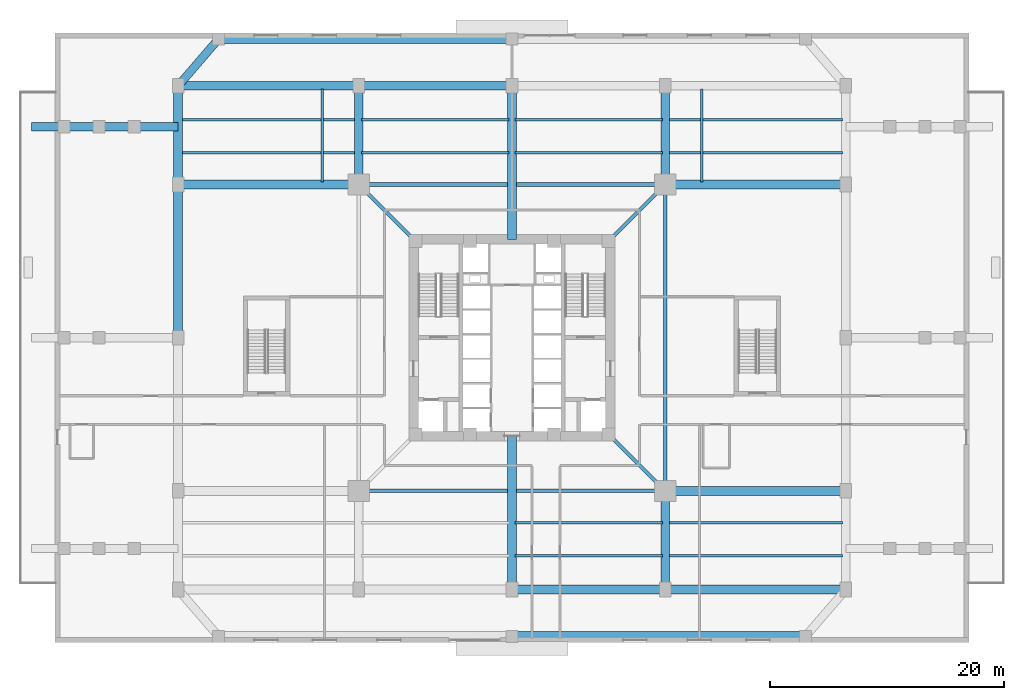
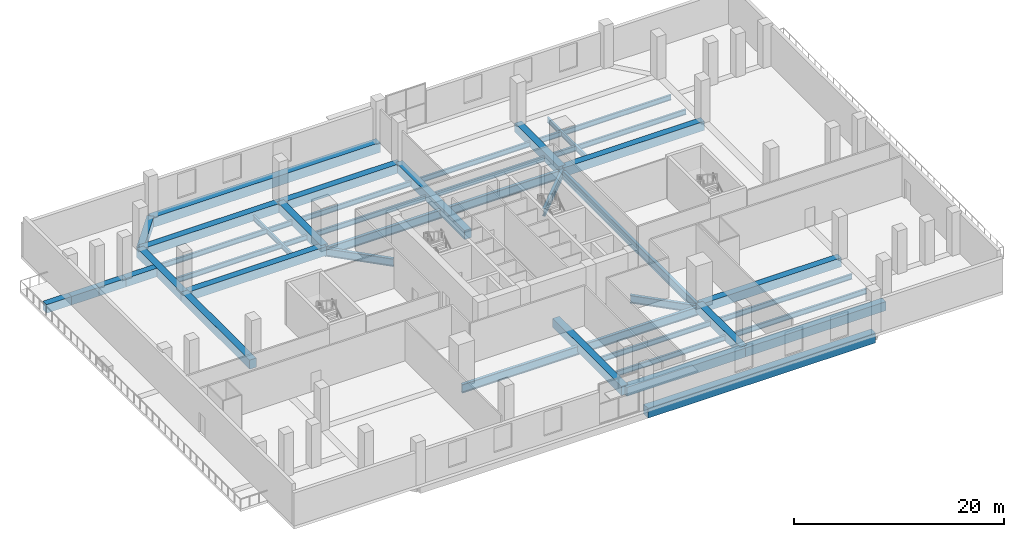
# One storey, part 3 of 17: 41 beams.
"""IFC4 building model written with IfcOpenShell, lengths in metres."""

from ifc_helpers import new_model, si_unit, direction, frame, origin, origin_2d, place, context, subcontext, project, spatial, rectangle, i_section, extrude, source, transform, mapped, material, material_profile, profile_set, type_object, element, save


model = new_model("IFC4")

# Units and contexts
model_context = context("Model", 3, precision=1e-05, world=origin(), true_north=direction((0.0, 1.0)))
body_context = subcontext(model_context, "Body", "Model", "MODEL_VIEW")
ifc_project = project(units=[si_unit("LENGTHUNIT", "METRE"), si_unit("AREAUNIT", "SQUARE_METRE"), si_unit("VOLUMEUNIT", "CUBIC_METRE"), si_unit("PLANEANGLEUNIT", "RADIAN"), si_unit("MASSUNIT", "GRAM", prefix="KILO"), si_unit("THERMODYNAMICTEMPERATUREUNIT", "KELVIN")], contexts=[model_context])

# Site, building, storey
site_placement = place(None, origin())
site = spatial("IfcSite", under=ifc_project, at=site_placement, CompositionType="ELEMENT")
building_placement = place(site_placement, origin())
building = spatial("IfcBuilding", under=site, at=building_placement, Name="Kosmvard Interchange Tower", CompositionType="ELEMENT")
storey_placement = place(building_placement, frame((0.0, 0.0, 6.0)))
storey = spatial("IfcBuildingStorey", under=building, at=storey_placement, Name="L01", CompositionType="ELEMENT", Elevation=6.0)

# Beams
ifc_material_1 = material(Name="Steel S460", Category="steel")
ifc_material_profile_1 = material_profile(ifc_material_1, i_section(OverallWidth=0.30810546875, OverallDepth=0.909912109375, WebThickness=0.02099609375, FlangeThickness=0.0400390625, FilletRadius=0.027099609375, at=origin_2d()), Name="HEM 900")
ifc_profile_set_1 = profile_set([ifc_material_profile_1], Name="Steel S460")
beam_type_1 = type_object("IfcBeamType", Name="Primary Mega-Frame Girder HEM 900 S460", PredefinedType="BEAM", material=ifc_profile_set_1)
shared_shape_1 = source(origin(), body_context, "Body", "SweptSolid", [
    extrude(i_section(OverallWidth=0.30810546875, OverallDepth=0.909912109375, WebThickness=0.02099609375, FlangeThickness=0.0400390625, FilletRadius=0.027099609375, at=origin_2d()), origin(), (0.0, 0.0, 1.0), 6.83203125),
])
for number, where, z_axis, x_axis, name in (
    (1, (8.25, -8.25, -0.794921875), (0.707106781187, -0.707106781187, 0.0), (0.707106781187, 0.707106781187, 0.0), "L01 Radial Mega-Frame Girder 2"),
    (2, (8.25, 8.25, -0.794921875), (0.707106781187, 0.707106781187, 0.0), (-0.707106781187, 0.707106781187, 0.0), "L01 Radial Mega-Frame Girder 3"),
    (3, (-8.25, 8.25, -0.794921875), (-0.707106781187, 0.707106781187, 0.0), (-0.707106781187, -0.707106781187, 0.0), "L01 Radial Mega-Frame Girder 4"),
):
    element("IfcBeam", number, at=place(storey_placement, frame(where, z_axis=z_axis, x_axis=x_axis)), inside=storey, type_object=beam_type_1, Name=name, PredefinedType="BEAM", context=body_context, shape_type="MappedRepresentation", body=[
        mapped(shared_shape_1, transform((0.0, 0.0, 0.0), scale=1.0)),
    ])
ifc_material_profile_2 = material_profile(ifc_material_1, i_section(OverallWidth=0.30908203125, OverallDepth=1.008056640625, WebThickness=0.02099609375, FlangeThickness=0.0400390625, FilletRadius=0.030029296875, at=origin_2d()), Name="HEM 1000")
ifc_profile_set_2 = profile_set([ifc_material_profile_2], Name="Steel S460")
beam_type_2 = type_object("IfcBeamType", Name="Mega-Column Ring Girder HEM 1000 S460", PredefinedType="BEAM", material=ifc_profile_set_2)
shared_shape_2 = source(origin(), body_context, "Body", "SweptSolid", [
    extrude(i_section(OverallWidth=0.30908203125, OverallDepth=1.008056640625, WebThickness=0.02099609375, FlangeThickness=0.0400390625, FilletRadius=0.030029296875, at=origin_2d()), origin(), (0.0, 0.0, 1.0), 26.162109375),
])
for number, where, z_axis, x_axis, name in (
    (4, (-13.0810546875, -13.0810546875, -0.843994140625), (1.0, 0.0, 0.0), (0.0, 1.0, 0.0), "L01 Mega-Column Ring Girder 1"),
    (5, (13.0810546875, -13.0810546875, -0.843994140625), (0.0, 1.0, 0.0), (-1.0, 0.0, 0.0), "L01 Mega-Column Ring Girder 2"),
    (6, (13.0810546875, 13.0810546875, -0.843994140625), (-1.0, 0.0, 0.0), (0.0, -1.0, 0.0), "L01 Mega-Column Ring Girder 3"),
):
    element("IfcBeam", number, at=place(storey_placement, frame(where, z_axis=z_axis, x_axis=x_axis)), inside=storey, type_object=beam_type_2, Name=name, PredefinedType="BEAM", context=body_context, shape_type="MappedRepresentation", body=[
        mapped(shared_shape_2, transform((0.0, 0.0, 0.0), scale=1.0)),
    ])
ifc_material_2 = material(Name="Steel S355", Category="steel")
ifc_material_profile_3 = material_profile(ifc_material_2, i_section(OverallWidth=0.219970703125, OverallDepth=0.60009765625, WebThickness=0.011962890625, FlangeThickness=0.01904296875, FilletRadius=0.02392578125, at=origin_2d()), Name="IPE 600")
ifc_profile_set_3 = profile_set([ifc_material_profile_3], Name="Steel S355")
beam_type_3 = type_object("IfcBeamType", Name="Long-Span Floor Joist IPE 600 S355", PredefinedType="JOIST", material=ifc_profile_set_3)
shared_shape_3 = source(origin(), body_context, "Body", "SweptSolid", [
    extrude(i_section(OverallWidth=0.219970703125, OverallDepth=0.60009765625, WebThickness=0.011962890625, FlangeThickness=0.01904296875, FilletRadius=0.02392578125, at=origin_2d()), origin(), (0.0, 0.0, 1.0), 14.949951171875),
])
for number, where, z_axis, x_axis, name in (
    (7, (13.300048828125, -18.60009765625, -0.639892578125), (1.0, 0.0, 0.0), (0.0, 1.0, 0.0), "BM-L01-PJ04"),
    (8, (13.300048828125, -15.800048828125, -0.639892578125), (1.0, 0.0, 0.0), (0.0, 1.0, 0.0), "BM-L01-PJ08"),
    (9, (-28.25, 15.800048828125, -0.639892578125), (1.0, 0.0, 0.0), (0.0, 1.0, 0.0), "BM-L01-PJ09"),
    (10, (13.300048828125, 15.800048828125, -0.639892578125), (1.0, 0.0, 0.0), (0.0, 1.0, 0.0), "BM-L01-PJ12"),
    (11, (-28.25, 18.60009765625, -0.639892578125), (1.0, 0.0, 0.0), (0.0, 1.0, 0.0), "BM-L01-PJ13"),
    (12, (13.300048828125, 18.60009765625, -0.639892578125), (1.0, 0.0, 0.0), (0.0, 1.0, 0.0), "BM-L01-PJ16"),
):
    element("IfcBeam", number, at=place(storey_placement, frame(where, z_axis=z_axis, x_axis=x_axis)), inside=storey, type_object=beam_type_3, Name=name, PredefinedType="JOIST", context=body_context, shape_type="MappedRepresentation", body=[
        mapped(shared_shape_3, transform((0.0, 0.0, 0.0), scale=1.0)),
    ])
shared_shape_4 = source(origin(), body_context, "Body", "SweptSolid", [
    extrude(i_section(OverallWidth=0.219970703125, OverallDepth=0.60009765625, WebThickness=0.011962890625, FlangeThickness=0.01904296875, FilletRadius=0.02392578125, at=origin_2d()), origin(), (0.0, 0.0, 1.0), 12.60009765625),
])
for number, where, z_axis, x_axis, name in (
    (13, (0.25, -18.60009765625, -0.639892578125), (1.0, 0.0, 0.0), (0.0, 1.0, 0.0), "BM-L01-PJ03"),
    (14, (0.25, -15.800048828125, -0.639892578125), (1.0, 0.0, 0.0), (0.0, 1.0, 0.0), "BM-L01-PJ07"),
    (15, (-12.85009765625, 15.800048828125, -0.639892578125), (1.0, 0.0, 0.0), (0.0, 1.0, 0.0), "BM-L01-PJ10"),
    (16, (0.25, 15.800048828125, -0.639892578125), (1.0, 0.0, 0.0), (0.0, 1.0, 0.0), "BM-L01-PJ11"),
    (17, (-12.85009765625, 18.60009765625, -0.639892578125), (1.0, 0.0, 0.0), (0.0, 1.0, 0.0), "BM-L01-PJ14"),
    (18, (0.25, 18.60009765625, -0.639892578125), (1.0, 0.0, 0.0), (0.0, 1.0, 0.0), "BM-L01-PJ15"),
):
    element("IfcBeam", number, at=place(storey_placement, frame(where, z_axis=z_axis, x_axis=x_axis)), inside=storey, type_object=beam_type_3, Name=name, PredefinedType="JOIST", context=body_context, shape_type="MappedRepresentation", body=[
        mapped(shared_shape_4, transform((0.0, 0.0, 0.0), scale=1.0)),
    ])
shared_shape_5 = source(origin(), body_context, "Body", "SweptSolid", [
    extrude(i_section(OverallWidth=0.219970703125, OverallDepth=0.60009765625, WebThickness=0.011962890625, FlangeThickness=0.01904296875, FilletRadius=0.02392578125, at=origin_2d()), origin(), (0.0, 0.0, 1.0), 7.949951171875),
])
for number, where, z_axis, x_axis, name in (
    (19, (-16.199951171875, 13.300048828125, -0.639892578125), (0.0, 1.0, 0.0), (-1.0, 0.0, 0.0), "BM-L01-PJ17"),
    (20, (16.199951171875, 13.300048828125, -0.639892578125), (0.0, 1.0, 0.0), (-1.0, 0.0, 0.0), "BM-L01-PJ18"),
):
    element("IfcBeam", number, at=place(storey_placement, frame(where, z_axis=z_axis, x_axis=x_axis)), inside=storey, type_object=beam_type_3, Name=name, PredefinedType="JOIST", context=body_context, shape_type="MappedRepresentation", body=[
        mapped(shared_shape_5, transform((0.0, 0.0, 0.0), scale=1.0)),
    ])
ifc_material_3 = material(Name="Concrete C60/75", Category="concrete")
ifc_material_profile_4 = material_profile(ifc_material_3, rectangle(XDim=0.75, YDim=1.050048828125, at=origin_2d()), Name="RCG 750x1050")
ifc_profile_set_4 = profile_set([ifc_material_profile_4], Name="Concrete C60/75")
beam_type_4 = type_object("IfcBeamType", Name="Concourse Mid-Span RC Girder 750x1050 C60/75", PredefinedType="BEAM", material=ifc_profile_set_4)
shared_shape_6 = source(origin(), body_context, "Body", "SweptSolid", [
    extrude(rectangle(XDim=0.75, YDim=1.050048828125, at=origin_2d()), origin(), (0.0, 0.0, 1.0), 15.4189453125),
])
for number, where, z_axis, x_axis, name in (
    (21, (13.0810546875, -21.5, -0.52490234375), (1.0, 0.0, 0.0), (0.0, 1.0, 0.0), "BM-L01-PG-S4"),
    (22, (-28.5, 21.5, -0.52490234375), (1.0, 0.0, 0.0), (0.0, 1.0, 0.0), "BM-L01-PG-N1"),
    (23, (-28.5, 13.0810546875, -0.52490234375), (1.0, 0.0, 0.0), (0.0, 1.0, 0.0), "BM-L01-PG-CW2"),
    (24, (28.5, -13.0810546875, -0.52490234375), (-1.0, 0.0, 0.0), (0.0, -1.0, 0.0), "BM-L01-PG-CE1"),
    (25, (28.5, 13.0810546875, -0.52490234375), (-1.0, 0.0, 0.0), (0.0, -1.0, 0.0), "BM-L01-PG-CE2"),
):
    element("IfcBeam", number, at=place(storey_placement, frame(where, z_axis=z_axis, x_axis=x_axis)), inside=storey, type_object=beam_type_4, Name=name, PredefinedType="BEAM", context=body_context, shape_type="MappedRepresentation", body=[
        mapped(shared_shape_6, transform((0.0, 0.0, 0.0), scale=1.0)),
    ])
shared_shape_7 = source(origin(), body_context, "Body", "SweptSolid", [
    extrude(rectangle(XDim=0.75, YDim=1.050048828125, at=origin_2d()), origin(), (0.0, 0.0, 1.0), 13.0810546875),
])
for number, where, z_axis, x_axis, name in (
    (26, (0.0, -21.5, -0.52490234375), (1.0, 0.0, 0.0), (0.0, 1.0, 0.0), "BM-L01-PG-S3"),
    (27, (-13.0810546875, 21.5, -0.52490234375), (1.0, 0.0, 0.0), (0.0, 1.0, 0.0), "BM-L01-PG-N2"),
    (28, (-28.5, 0.0, -0.52490234375), (0.0, 1.0, 0.0), (-1.0, 0.0, 0.0), "BM-L01-PG-W3"),
):
    element("IfcBeam", number, at=place(storey_placement, frame(where, z_axis=z_axis, x_axis=x_axis)), inside=storey, type_object=beam_type_4, Name=name, PredefinedType="BEAM", context=body_context, shape_type="MappedRepresentation", body=[
        mapped(shared_shape_7, transform((0.0, 0.0, 0.0), scale=1.0)),
    ])
shared_shape_8 = source(origin(), body_context, "Body", "SweptSolid", [
    extrude(rectangle(XDim=0.75, YDim=1.050048828125, at=origin_2d()), origin(), (0.0, 0.0, 1.0), 8.4189453125),
])
for number, where, z_axis, x_axis, name in (
    (29, (-28.5, 13.0810546875, -0.52490234375), (0.0, 1.0, 0.0), (-1.0, 0.0, 0.0), "BM-L01-PG-W4"),
    (30, (13.0810546875, -21.5, -0.52490234375), (0.0, 1.0, 0.0), (-1.0, 0.0, 0.0), "BM-L01-PG-CS2"),
    (31, (-13.0810546875, 21.5, -0.52490234375), (0.0, -1.0, 0.0), (1.0, 0.0, 0.0), "BM-L01-PG-CN1"),
    (32, (13.0810546875, 21.5, -0.52490234375), (0.0, -1.0, 0.0), (1.0, 0.0, 0.0), "BM-L01-PG-CN2"),
):
    element("IfcBeam", number, at=place(storey_placement, frame(where, z_axis=z_axis, x_axis=x_axis)), inside=storey, type_object=beam_type_4, Name=name, PredefinedType="BEAM", context=body_context, shape_type="MappedRepresentation", body=[
        mapped(shared_shape_8, transform((0.0, 0.0, 0.0), scale=1.0)),
    ])
shared_shape_9 = source(origin(), body_context, "Body", "SweptSolid", [
    extrude(rectangle(XDim=0.75, YDim=1.050048828125, at=origin_2d()), origin(), (0.0, 0.0, 1.0), 13.10009765625),
])
for number, where, z_axis, x_axis, name in (
    (33, (0.0, -21.5, -0.52490234375), (0.0, 1.0, 0.0), (-1.0, 0.0, 0.0), "BM-L01-PG-MS"),
    (34, (0.0, 21.5, -0.52490234375), (0.0, -1.0, 0.0), (1.0, 0.0, 0.0), "BM-L01-PG-MN"),
):
    element("IfcBeam", number, at=place(storey_placement, frame(where, z_axis=z_axis, x_axis=x_axis)), inside=storey, type_object=beam_type_4, Name=name, PredefinedType="BEAM", context=body_context, shape_type="MappedRepresentation", body=[
        mapped(shared_shape_9, transform((0.0, 0.0, 0.0), scale=1.0)),
    ])
ifc_material_profile_5 = material_profile(ifc_material_3, rectangle(XDim=0.800048828125, YDim=1.14990234375, at=origin_2d()), Name="RCG 800x1150")
ifc_profile_set_5 = profile_set([ifc_material_profile_5], Name="Concrete C60/75")
beam_type_5 = type_object("IfcBeamType", Name="Concourse Long-Span RC Girder 800x1150 C60/75", PredefinedType="BEAM", material=ifc_profile_set_5)
shared_shape_10 = source(origin(), body_context, "Body", "SweptSolid", [
    extrude(rectangle(XDim=0.800048828125, YDim=1.14990234375, at=origin_2d()), origin(), (0.0, 0.0, 1.0), 25.050048828125),
])
for number, where, z_axis, x_axis, name in (
    (35, (0.0, -25.5, -0.574951171875), (1.0, 0.0, 0.0), (0.0, 1.0, 0.0), "BM-L01-PG-TS2"),
    (36, (-25.050048828125, 25.5, -0.574951171875), (1.0, 0.0, 0.0), (0.0, 1.0, 0.0), "BM-L01-PG-TN1"),
):
    element("IfcBeam", number, at=place(storey_placement, frame(where, z_axis=z_axis, x_axis=x_axis)), inside=storey, type_object=beam_type_5, Name=name, PredefinedType="BEAM", context=body_context, shape_type="MappedRepresentation", body=[
        mapped(shared_shape_10, transform((0.0, 0.0, 0.0), scale=1.0)),
    ])
ifc_material_profile_6 = material_profile(ifc_material_3, rectangle(XDim=0.699951171875, YDim=1.0, at=origin_2d()), Name="RCG 700x1000")
ifc_profile_set_6 = profile_set([ifc_material_profile_6], Name="Concrete C60/75")
beam_type_6 = type_object("IfcBeamType", Name="Concourse Primary RC Girder 700x1000 C60/75", PredefinedType="BEAM", material=ifc_profile_set_6)
shared_shape_11 = source(origin(), body_context, "Body", "SweptSolid", [
    extrude(rectangle(XDim=0.699951171875, YDim=1.0, at=origin_2d()), origin(), (0.0, 0.0, 1.0), 5.2822265625),
])
beam_1_placement = place(storey_placement, frame((-25.050048828125, 25.5, -0.5), z_axis=(-0.653121547432, -0.757253091298, 0.0), x_axis=(0.757253091298, -0.653121547432, 0.0)))
element("IfcBeam", 37, at=beam_1_placement, inside=storey, type_object=beam_type_6, Name="BM-L01-PG-TNL", PredefinedType="BEAM", context=body_context, shape_type="MappedRepresentation", body=[
    mapped(shared_shape_11, transform((0.0, 0.0, 0.0), scale=1.0)),
])
shared_shape_12 = source(origin(), body_context, "Body", "SweptSolid", [
    extrude(rectangle(XDim=0.699951171875, YDim=1.0, at=origin_2d()), origin(), (0.0, 0.0, 1.0), 3.75),
])
beam_2_placement = place(storey_placement, frame((-28.5, 18.0, -0.5), z_axis=(-1.0, 0.0, 0.0), x_axis=(0.0, -1.0, 0.0)))
element("IfcBeam", 38, at=beam_2_placement, inside=storey, type_object=beam_type_6, Name="BM-L01-PG-TCW31", PredefinedType="BEAM", context=body_context, shape_type="MappedRepresentation", body=[
    mapped(shared_shape_12, transform((0.0, 0.0, 0.0), scale=1.0)),
])
shared_shape_13 = source(origin(), body_context, "Body", "SweptSolid", [
    extrude(rectangle(XDim=0.699951171875, YDim=1.0, at=origin_2d()), origin(), (0.0, 0.0, 1.0), 3.0),
])
for number, where, z_axis, x_axis, name in (
    (39, (-32.25, 18.0, -0.5), (-1.0, 0.0, 0.0), (0.0, -1.0, 0.0), "BM-L01-PG-TCW32"),
    (40, (-35.25, 18.0, -0.5), (-1.0, 0.0, 0.0), (0.0, -1.0, 0.0), "BM-L01-PG-TCW33"),
):
    element("IfcBeam", number, at=place(storey_placement, frame(where, z_axis=z_axis, x_axis=x_axis)), inside=storey, type_object=beam_type_6, Name=name, PredefinedType="BEAM", context=body_context, shape_type="MappedRepresentation", body=[
        mapped(shared_shape_13, transform((0.0, 0.0, 0.0), scale=1.0)),
    ])
shared_shape_14 = source(origin(), body_context, "Body", "SweptSolid", [
    extrude(rectangle(XDim=0.699951171875, YDim=1.0, at=origin_2d()), origin(), (0.0, 0.0, 1.0), 2.75),
])
beam_3_placement = place(storey_placement, frame((-38.25, 18.0, -0.5), z_axis=(-1.0, 0.0, 0.0), x_axis=(0.0, -1.0, 0.0)))
element("IfcBeam", 41, at=beam_3_placement, inside=storey, type_object=beam_type_6, Name="BM-L01-PG-TCW34", PredefinedType="BEAM", context=body_context, shape_type="MappedRepresentation", body=[
    mapped(shared_shape_14, transform((0.0, 0.0, 0.0), scale=1.0)),
])

save(model, "model.ifc")
